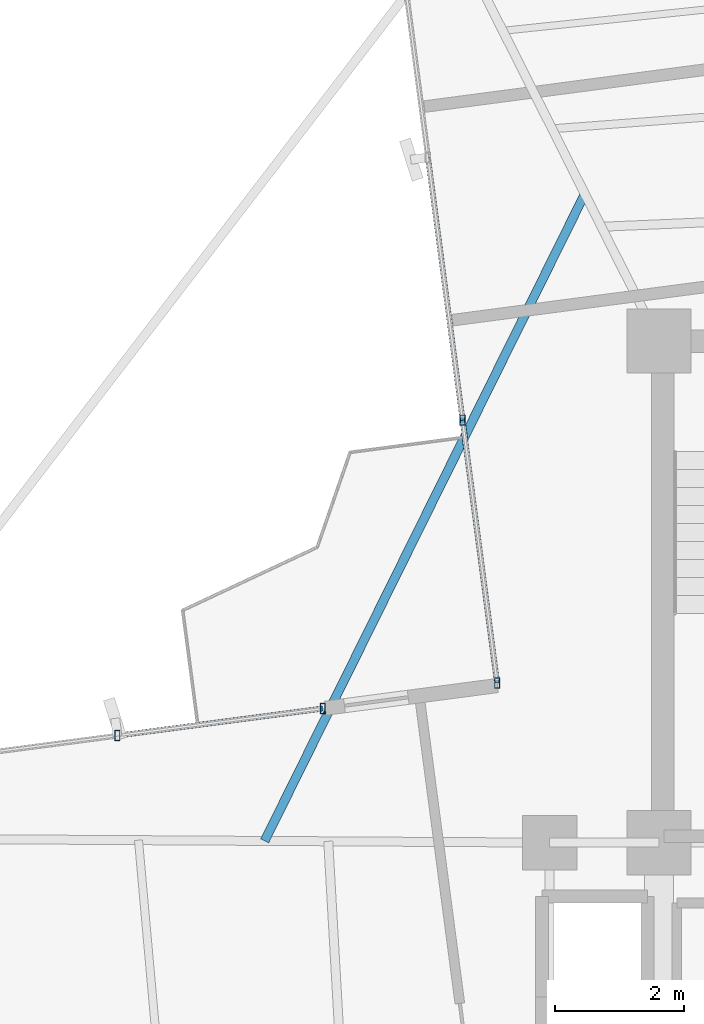
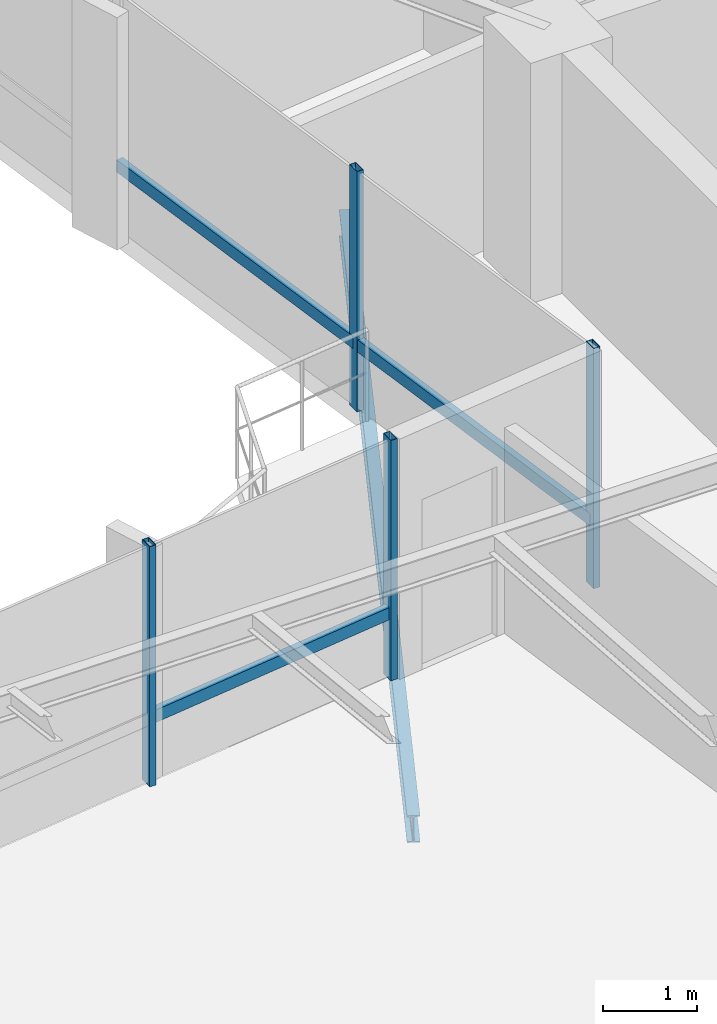
# One storey, part 9 of 22: 7 members, 1 beam, 2 elements without a shape of their own.
"""IFC4 building model written with IfcOpenShell, lengths in metres."""

import ifcopenshell
import ifcopenshell.guid

model = None  # the IFC model being written
_history = None  # IfcOwnerHistory: only IFC2X3 demands one
_inside = {}  # id of a spatial element -> (the spatial element, [elements in it])
_under = {}  # id of a project, library or spatial element -> (it, [spatial elements below it])
_declared = {}  # id of a project -> (the project, [libraries it declares])
_typed = {}  # id of a type object -> (the type object, [elements of that type])
_made_of = {}  # id of a material, layer set ... -> (it, [elements and type objects made of it])


def new_model(schema):
    """Start an empty IFC model of exactly this schema.

    Asked for "IFC4X3", IfcOpenShell would pick the latest addendum, in which some entities
    have other attributes; the version numbers below select the first issue.
    IFC2X3 requires an IfcOwnerHistory on every rooted entity: one is made here for all.
    """
    global model, _history
    if schema == "IFC4X3":
        model = ifcopenshell.file(schema_version=(4, 3, 0, 0))
    else:
        model = ifcopenshell.file(schema=schema)
    _inside.clear()
    _under.clear()
    _declared.clear()
    _typed.clear()
    _made_of.clear()
    _history = None
    if model.schema == "IFC2X3":
        org = make("IfcOrganization", Name="unknown")
        user = make(
            "IfcPersonAndOrganization",
            ThePerson=make("IfcPerson", FamilyName="unknown"),
            TheOrganization=org,
        )
        app = make(
            "IfcApplication",
            ApplicationDeveloper=org,
            Version="unknown",
            ApplicationFullName="unknown",
            ApplicationIdentifier="unknown",
        )
        _history = make(
            "IfcOwnerHistory",
            OwningUser=user,
            OwningApplication=app,
            ChangeAction="ADDED",
            CreationDate=0,
        )
    return model


def make(cls, **values):
    """One entity of the class cls with the attributes given. An attribute that is None is left unset."""
    return model.create_entity(
        cls, **{name: value for name, value in values.items() if value is not None}
    )


def rooted(cls, **values):
    """An entity with a GlobalId (a new one), such as an element, a storey or a relation."""
    return make(cls, GlobalId=ifcopenshell.guid.new(), OwnerHistory=_history, **values)


def si_unit(unit_type, name, prefix=None):
    """IfcSIUnit, for example si_unit("LENGTHUNIT", "METRE", prefix="MILLI")."""
    return make("IfcSIUnit", UnitType=unit_type, Prefix=prefix, Name=name)


def assignment(units):
    """IfcUnitAssignment: the units of a project."""
    return None if units is None else make("IfcUnitAssignment", Units=units)


def point(xyz):
    """IfcCartesianPoint."""
    return None if xyz is None else make("IfcCartesianPoint", Coordinates=xyz)


def direction(xyz):
    """IfcDirection."""
    return None if xyz is None else make("IfcDirection", DirectionRatios=xyz)


def frame(location, z_axis=None, x_axis=None):
    """IfcAxis2Placement3D, a coordinate frame: its origin and axes. An axis left out is left unset."""
    return make(
        "IfcAxis2Placement3D",
        Location=point(location),
        Axis=direction(z_axis),
        RefDirection=direction(x_axis),
    )


def frame_2d(location, x_axis=None):
    """IfcAxis2Placement2D, a coordinate frame in the plane: its origin and x axis."""
    return make(
        "IfcAxis2Placement2D", Location=point(location), RefDirection=direction(x_axis)
    )


def origin():
    """The frame at (0, 0, 0) with its axes left unset."""
    return frame((0.0, 0.0, 0.0))


def origin_2d():
    """The frame at (0, 0) in the plane with its x axis left unset."""
    return frame_2d((0.0, 0.0))


def place(relative_to, where):
    """IfcLocalPlacement: puts the frame where relative to a parent placement (None: the world)."""
    return make(
        "IfcLocalPlacement", PlacementRelTo=relative_to, RelativePlacement=where
    )


def context(
    kind, dimensions, precision=None, world=None, true_north=None, identifier=None
):
    """IfcGeometricRepresentationContext, for example the 3D "Model" context."""
    return make(
        "IfcGeometricRepresentationContext",
        ContextIdentifier=identifier,
        ContextType=kind,
        CoordinateSpaceDimension=dimensions,
        Precision=precision,
        WorldCoordinateSystem=world,
        TrueNorth=true_north,
    )


def subcontext(parent, identifier, kind, view, scale=None):
    """IfcGeometricRepresentationSubContext, for example "Body" below "Model"."""
    return make(
        "IfcGeometricRepresentationSubContext",
        ContextIdentifier=identifier,
        ContextType=kind,
        ParentContext=parent,
        TargetScale=scale,
        TargetView=view,
    )


def project(units=None, contexts=None):
    """IfcProject with its units and contexts."""
    return rooted(
        "IfcProject",
        Name="project",
        RepresentationContexts=contexts,
        UnitsInContext=assignment(units),
    )


def spatial(cls, under=None, at=None, **own):
    """A site, building, storey or space (cls), placed at a placement, below another one or the project."""
    s = rooted(cls, ObjectPlacement=at, **own)
    if under is not None:
        _under.setdefault(under.id(), (under, []))[1].append(s)
    return s


def profile(cls, at=None, kind="AREA", **sizes):
    """A parametric profile (cls). Its sizes go by their IFC names, for example OverallWidth=200.0."""
    return make(cls, ProfileType=kind, Position=at, **sizes)


def hollow_rectangle(**sizes):
    """IfcRectangleHollowProfileDef."""
    return profile("IfcRectangleHollowProfileDef", **sizes)


def i_section(**sizes):
    """IfcIShapeProfileDef."""
    return profile("IfcIShapeProfileDef", **sizes)


def extrude(swept, where, along, depth):
    """IfcExtrudedAreaSolid: the profile swept, set in the frame where, extruded along a direction by depth."""
    return make(
        "IfcExtrudedAreaSolid",
        SweptArea=swept,
        Position=where,
        ExtrudedDirection=direction(along),
        Depth=depth,
    )


def shape(context_of_items, identifier, shape_type, items):
    """IfcShapeRepresentation: the items that make up one representation, for example the "Body"."""
    return make(
        "IfcShapeRepresentation",
        ContextOfItems=context_of_items,
        RepresentationIdentifier=identifier,
        RepresentationType=shape_type,
        Items=items,
    )


def source(mapping_origin, context_of_items, identifier, shape_type, items):
    """IfcRepresentationMap: a shape defined once, which mapped items show again and again."""
    return make(
        "IfcRepresentationMap",
        MappingOrigin=mapping_origin,
        MappedRepresentation=shape(context_of_items, identifier, shape_type, items),
    )


def transform(
    local_origin,
    x_axis=None,
    y_axis=None,
    z_axis=None,
    scale=None,
    scale2=None,
    scale3=None,
    uniform=True,
):
    """IfcCartesianTransformationOperator3D, or its non-uniform kind. x_axis, y_axis, z_axis: its Axis1, 2, 3."""
    if uniform:
        return make(
            "IfcCartesianTransformationOperator3D",
            Axis1=direction(x_axis),
            Axis2=direction(y_axis),
            LocalOrigin=point(local_origin),
            Scale=scale,
            Axis3=direction(z_axis),
        )
    return make(
        "IfcCartesianTransformationOperator3DnonUniform",
        Axis1=direction(x_axis),
        Axis2=direction(y_axis),
        LocalOrigin=point(local_origin),
        Scale=scale,
        Axis3=direction(z_axis),
        Scale2=scale2,
        Scale3=scale3,
    )


def mapped(mapping_source, mapping_target):
    """IfcMappedItem: shows the shape of a source again, moved by a transform."""
    return make(
        "IfcMappedItem", MappingSource=mapping_source, MappingTarget=mapping_target
    )


def material(Name=None, Category=None):
    """IfcMaterial."""
    return make("IfcMaterial", Name=Name, Category=Category)


def material_profile(
    of_material, cross_section, Name=None, Category=None, Priority=None
):
    """IfcMaterialProfile: a cross section and its material."""
    return make(
        "IfcMaterialProfile",
        Name=Name,
        Material=of_material,
        Profile=cross_section,
        Priority=Priority,
        Category=Category,
    )


def profile_set(profiles, Name=None, composite=None):
    """IfcMaterialProfileSet."""
    return make(
        "IfcMaterialProfileSet",
        Name=Name,
        MaterialProfiles=profiles,
        CompositeProfile=composite,
    )


def made_of(thing, what):
    """Note that an element or type object is made of a material, layer set ...; save() writes the relation."""
    if what is not None:
        _made_of.setdefault(what.id(), (what, []))[1].append(thing)
    return thing


def type_object(cls, material=None, **own):
    """A type object (cls), such as IfcWallType, which elements share."""
    return made_of(rooted(cls, **own), material)


def element(
    cls,
    number,
    at=None,
    inside=None,
    cuts=None,
    type_object=None,
    material=None,
    context=None,
    identifier="Body",
    shape_type=None,
    held_by="IfcProductDefinitionShape",
    body=None,
    shapes=None,
    **own,
):
    """One element of the class cls, such as IfcWall. Its Tag is "e" and its number.

    at: its placement. inside: the storey or other place that contains it. cuts: it is an
    opening in that element (IfcRelVoidsElement). A single representation is given by context,
    identifier, shape_type and body (its items); several are given by shapes. held_by: the class
    of the entity that holds the representations. save() writes the other relations.
    """
    e = rooted(cls, Tag="e%d" % number, ObjectPlacement=at, **own)
    if body is not None:
        shapes = [shape(context, identifier, shape_type, body)]
    if shapes is not None:
        e.Representation = make(held_by, Representations=shapes)
    if inside is not None:
        _inside.setdefault(inside.id(), (inside, []))[1].append(e)
    if cuts is not None:
        rooted(
            "IfcRelVoidsElement", RelatingBuildingElement=cuts, RelatedOpeningElement=e
        )
    if type_object is not None:
        _typed.setdefault(type_object.id(), (type_object, []))[1].append(e)
    return made_of(e, material)


def aggregate(whole, parts):
    """IfcRelAggregates: a whole, such as a stair, and the parts it consists of."""
    return rooted("IfcRelAggregates", RelatingObject=whole, RelatedObjects=parts)


def save(model, path):
    """Write the relations noted so far, then the file.

    IfcRelAggregates (storeys below a building ...), IfcRelContainedInSpatialStructure (elements
    in a storey), IfcRelDefinesByType, IfcRelAssociatesMaterial and IfcRelDeclares: one each for
    every whole, place, type object, material and project.
    """
    for whole, parts in _under.values():
        aggregate(whole, parts)
    for where, things in _inside.values():
        rooted(
            "IfcRelContainedInSpatialStructure",
            RelatedElements=things,
            RelatingStructure=where,
        )
    for kind, things in _typed.values():
        rooted("IfcRelDefinesByType", RelatedObjects=things, RelatingType=kind)
    for what, things in _made_of.values():
        rooted("IfcRelAssociatesMaterial", RelatedObjects=things, RelatingMaterial=what)
    for by, libraries in _declared.values():
        rooted("IfcRelDeclares", RelatingContext=by, RelatedDefinitions=libraries)
    model.write(path)


model = new_model("IFC4")

# Units and contexts
model_context = context("Model", 3, precision=1e-05, world=origin(), true_north=direction((0.0, 1.0)))
body_context = subcontext(model_context, "Body", "Model", "MODEL_VIEW")
ifc_project = project(units=[si_unit("LENGTHUNIT", "METRE"), si_unit("AREAUNIT", "SQUARE_METRE"), si_unit("VOLUMEUNIT", "CUBIC_METRE"), si_unit("PLANEANGLEUNIT", "RADIAN"), si_unit("MASSUNIT", "GRAM", prefix="KILO")], contexts=[model_context])

# Site, building, storey
site_placement = place(None, origin())
site = spatial("IfcSite", under=ifc_project, at=site_placement, CompositionType="ELEMENT")
building_placement = place(site_placement, origin())
building = spatial("IfcBuilding", under=site, at=building_placement, Name="Sahyath Konkavel Grand Hotel", CompositionType="ELEMENT")
storey_placement = place(building_placement, frame((0.0, 0.0, 237.800048828125)))
storey = spatial("IfcBuildingStorey", under=building, at=storey_placement, Name="L66", CompositionType="ELEMENT", Elevation=237.800048828125)

# Curtain wall, members
ifc_material_1 = material(Name="Anodised Bronze Aluminium & Low-E Glazing", Category="aluminium")
curtain_wall_type = type_object("IfcCurtainWallType", Name="CW-ZONE4", PredefinedType="NOTDEFINED", material=ifc_material_1)
curtain_wall_1_placement = place(storey_placement, origin())
curtain_wall_1 = element("IfcCurtainWall", 1, at=curtain_wall_1_placement, inside=storey, type_object=curtain_wall_type, Name="L66 Unitised Curtain Wall F15", PredefinedType="NOTDEFINED")
ifc_material_2 = material(Name="Anodised Bronze Aluminium", Category="aluminium")
ifc_material_profile_1 = material_profile(ifc_material_2, hollow_rectangle(XDim=0.080078125, YDim=0.159912109375, WallThickness=0.006103515625, at=origin_2d()), Name="RHS 160x80x6")
ifc_profile_set_1 = profile_set([ifc_material_profile_1], Name="Anodised Bronze Aluminium")
member_type_1 = type_object("IfcMemberType", Name="CW-MUL-160", PredefinedType="MULLION", material=ifc_profile_set_1)
shared_shape_1 = source(origin(), body_context, "Body", "SweptSolid", [
    extrude(hollow_rectangle(XDim=0.080078125, YDim=0.159912109375, WallThickness=0.006103515625, at=origin_2d()), origin(), (0.0, 0.0, 1.0), 3.10986328125),
])
member_1_placement = place(storey_placement, frame((-6.854248046875, 8.96875, 0.0), z_axis=(0.0, 0.0, 1.0), x_axis=(1.0, 0.0, 0.0)))
member_1 = element("IfcMember", 2, at=member_1_placement, type_object=member_type_1, Name="L66 Curtain Wall Mullion F15-2", PredefinedType="MULLION", context=body_context, shape_type="MappedRepresentation", body=[
    mapped(shared_shape_1, transform((0.0, 0.0, 0.0), scale=1.0)),
])
member_2_placement = place(storey_placement, frame((-6.31640625, 4.88232421875, 0.0), z_axis=(0.0, 0.0, 1.0), x_axis=(1.0, 0.0, 0.0)))
member_2 = element("IfcMember", 3, at=member_2_placement, type_object=member_type_1, Name="L66 Curtain Wall Mullion F15-3", PredefinedType="MULLION", context=body_context, shape_type="MappedRepresentation", body=[
    mapped(shared_shape_1, transform((0.0, 0.0, 0.0), scale=1.0)),
])

curtain_wall_2_placement = place(storey_placement, origin())
curtain_wall_2 = element("IfcCurtainWall", 4, at=curtain_wall_2_placement, inside=storey, type_object=curtain_wall_type, Name="L66 Unitised Curtain Wall F16", PredefinedType="NOTDEFINED")
member_3_placement = place(storey_placement, frame((-9.027587890625, 4.485107421875, 0.0), z_axis=(0.0, 0.0, 1.0), x_axis=(1.0, 0.0, 0.0)))
member_3 = element("IfcMember", 5, at=member_3_placement, type_object=member_type_1, Name="L66 Curtain Wall Mullion F16-0", PredefinedType="MULLION", context=body_context, shape_type="MappedRepresentation", body=[
    mapped(shared_shape_1, transform((0.0, 0.0, 0.0), scale=1.0)),
])
member_4_placement = place(storey_placement, frame((-12.2216796875, 4.064697265625, 0.0), z_axis=(0.0, 0.0, 1.0), x_axis=(1.0, 0.0, 0.0)))
member_4 = element("IfcMember", 6, at=member_4_placement, type_object=member_type_1, Name="L66 Curtain Wall Mullion F16-1", PredefinedType="MULLION", context=body_context, shape_type="MappedRepresentation", body=[
    mapped(shared_shape_1, transform((0.0, 0.0, 0.0), scale=1.0)),
])
ifc_material_profile_2 = material_profile(ifc_material_2, hollow_rectangle(XDim=0.080078125, YDim=0.159912109375, WallThickness=0.006103515625, at=origin_2d()), Name="RHS 160x80x6")
ifc_profile_set_2 = profile_set([ifc_material_profile_2], Name="Anodised Bronze Aluminium")
member_type_2 = type_object("IfcMemberType", Name="CW-TRN-160", PredefinedType="USERDEFINED", material=ifc_profile_set_2)
shared_shape_2 = source(origin(), body_context, "Body", "SweptSolid", [
    extrude(hollow_rectangle(XDim=0.080078125, YDim=0.159912109375, WallThickness=0.006103515625, at=origin_2d()), origin(), (0.0, 0.0, 1.0), 3.2216796875),
])
member_5_placement = place(storey_placement, frame((-9.027587890625, 4.485107421875, 0.849853515625), z_axis=(-0.991448878041, -0.130495678972, 0.0), x_axis=(0.130495678972, -0.991448878041, 0.0)))
member_5 = element("IfcMember", 7, at=member_5_placement, type_object=member_type_2, Name="L66 Curtain Wall Transom F16-0-spandrel", ObjectType="TRANSOM", PredefinedType="USERDEFINED", context=body_context, shape_type="MappedRepresentation", body=[
    mapped(shared_shape_2, transform((0.0, 0.0, 0.0), scale=1.0)),
])
aggregate(curtain_wall_2, [member_3, member_4, member_5])

# Member
shared_shape_3 = source(origin(), body_context, "Body", "SweptSolid", [
    extrude(hollow_rectangle(XDim=0.080078125, YDim=0.159912109375, WallThickness=0.006103515625, at=origin_2d()), origin(), (0.0, 0.0, 1.0), 4.12158203125),
])
member_6_placement = place(storey_placement, frame((-7.392333984375, 13.05517578125, 0.849853515625), z_axis=(0.13054951056, -0.991441791177, 0.0), x_axis=(0.991441791177, 0.13054951056, 0.0)))
member_6 = element("IfcMember", 8, at=member_6_placement, type_object=member_type_2, Name="L66 Curtain Wall Transom F15-1-spandrel", ObjectType="TRANSOM", PredefinedType="USERDEFINED", context=body_context, shape_type="MappedRepresentation", body=[
    mapped(shared_shape_3, transform((0.0, 0.0, 0.0), scale=1.0)),
])

member_7_placement = place(storey_placement, frame((-6.854248046875, 8.96875, 0.849853515625), z_axis=(0.130491286413, -0.991449456185, 0.0), x_axis=(0.991449456185, 0.130491286413, 0.0)))
member_7 = element("IfcMember", 9, at=member_7_placement, type_object=member_type_2, Name="L66 Curtain Wall Transom F15-2-spandrel", ObjectType="TRANSOM", PredefinedType="USERDEFINED", context=body_context, shape_type="MappedRepresentation", body=[
    mapped(shared_shape_3, transform((0.0, 0.0, 0.0), scale=1.0)),
])

aggregate(curtain_wall_1, [member_1, member_2, member_6, member_7])

# Beam
ifc_material_3 = material(Name="Steel E350", Category="steel")
ifc_material_profile_3 = material_profile(ifc_material_3, i_section(OverallWidth=0.139892578125, OverallDepth=0.35009765625, WebThickness=0.008056640625, FlangeThickness=0.01416015625, FilletRadius=0.013916015625, at=origin_2d()), Name="ISMB 350")
ifc_profile_set_3 = profile_set([ifc_material_profile_3], Name="Steel E350")
beam_type = type_object("IfcBeamType", Name="BM-BALC-CANT", PredefinedType="BEAM", material=ifc_profile_set_3)
shared_shape_4 = source(origin(), body_context, "Body", "SweptSolid", [
    extrude(i_section(OverallWidth=0.139892578125, OverallDepth=0.35009765625, WebThickness=0.008056640625, FlangeThickness=0.01416015625, FilletRadius=0.013916015625, at=origin_2d()), origin(), (0.0, 0.0, 1.0), 11.22705078125),
])
beam_placement = place(storey_placement, frame((-4.9521484375, 12.489990234375, -0.4150390625), z_axis=(-0.443478171971, -0.896285172802, 0.0), x_axis=(0.896285172802, -0.443478171971, 0.0)))
element("IfcBeam", 10, at=beam_placement, inside=storey, type_object=beam_type, Name="L66 Balcony Cantilever Support Beam NW", PredefinedType="BEAM", context=body_context, shape_type="MappedRepresentation", body=[
    mapped(shared_shape_4, transform((0.0, 0.0, 0.0), scale=1.0)),
])

save(model, "model.ifc")
